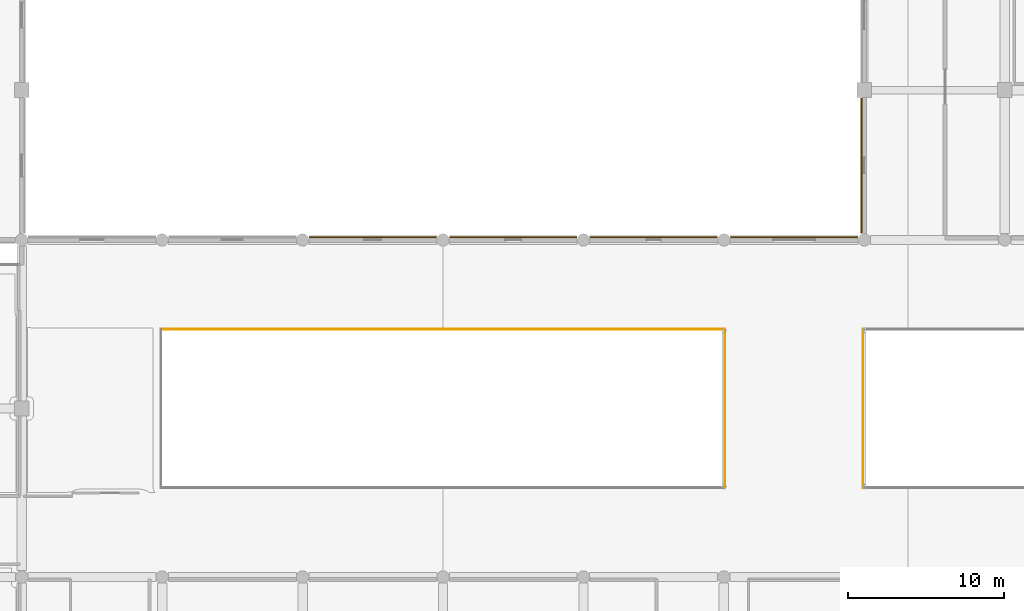
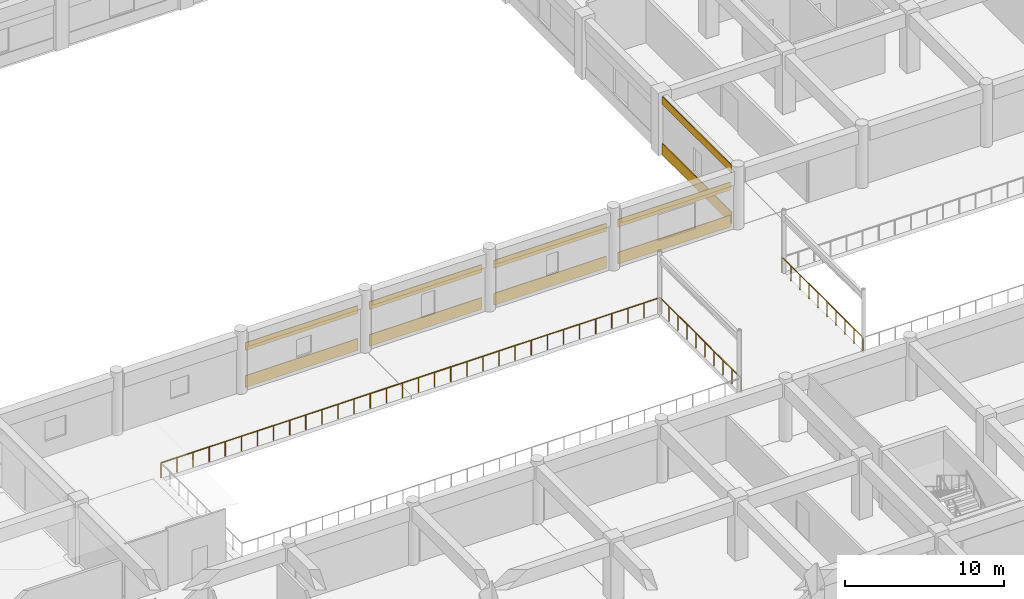
# One storey, part 77 of 86: 10 coverings, 3 railings.
"""IFC4 building model written with IfcOpenShell, lengths in metres."""

from ifc_helpers import new_model, si_unit, direction, frame, origin, origin_2d, place, context, subcontext, project, spatial, rectangle, circle, extrude, material, layer, layer_set, type_object, element, save


model = new_model("IFC4")

# Units and contexts
model_context = context("Model", 3, precision=1e-05, world=origin(), true_north=direction((0.0, 1.0)))
body_context = subcontext(model_context, "Body", "Model", "MODEL_VIEW")
ifc_project = project(units=[si_unit("LENGTHUNIT", "METRE"), si_unit("AREAUNIT", "SQUARE_METRE"), si_unit("VOLUMEUNIT", "CUBIC_METRE"), si_unit("PLANEANGLEUNIT", "RADIAN"), si_unit("MASSUNIT", "GRAM", prefix="KILO")], contexts=[model_context])

# Site, building, storey
site_placement = place(None, origin())
site = spatial("IfcSite", under=ifc_project, at=site_placement, CompositionType="ELEMENT")
building_placement = place(site_placement, origin())
building = spatial("IfcBuilding", under=site, at=building_placement, Name="Cendralis Terraced Arcade", CompositionType="ELEMENT")
storey_placement = place(building_placement, frame((0.0, 0.0, 5.39990234375)))
storey = spatial("IfcBuildingStorey", under=building, at=storey_placement, Name="L01", CompositionType="ELEMENT", Elevation=5.39990234375)

# Coverings
ifc_material_1 = material(Name="Precast concrete f'c 40 MPa", Category="concrete")
ifc_layer = layer(ifc_material_1, 0.06494140625, Name="COV-CLAD-GRC-65")
ifc_layer_set = layer_set([ifc_layer], Name="Precast concrete f'c 40 MPa")
covering_type = type_object("IfcCoveringType", Name="COV-CLAD-GRC-65", PredefinedType="CLADDING", material=ifc_layer_set)
covering_1_placement = place(storey_placement, frame((89.699951171875, 60.179931640625, 0.000244140625), z_axis=(0.0, 0.0, 1.0), x_axis=(1.0, 0.0, 0.0)))
element("IfcCovering", 1, at=covering_1_placement, inside=storey, type_object=covering_type, Name="Banded Precast Stone Spandrel Cladding L01-199", PredefinedType="CLADDING", context=body_context, shape_type="SweptSolid", body=[
    extrude(rectangle(XDim=8.14404296875, YDim=0.06494140625, at=origin_2d()), origin(), (0.0, 0.0, 1.0), 0.89990234375),
])
covering_2_placement = place(storey_placement, frame((89.699951171875, 60.179931640625, 2.824951171875), z_axis=(0.0, 0.0, 1.0), x_axis=(1.0, 0.0, 0.0)))
element("IfcCovering", 2, at=covering_2_placement, inside=storey, type_object=covering_type, Name="Banded Precast Stone Lintel Cladding L01-200", PredefinedType="CLADDING", context=body_context, shape_type="SweptSolid", body=[
    extrude(rectangle(XDim=8.14404296875, YDim=0.06494140625, at=origin_2d()), origin(), (0.0, 0.0, 1.0), 0.60009765625),
])
covering_3_placement = place(storey_placement, frame((98.699951171875, 60.179931640625, 0.000244140625), z_axis=(0.0, 0.0, 1.0), x_axis=(1.0, 0.0, 0.0)))
element("IfcCovering", 3, at=covering_3_placement, inside=storey, type_object=covering_type, Name="Banded Precast Stone Spandrel Cladding L01-201", PredefinedType="CLADDING", context=body_context, shape_type="SweptSolid", body=[
    extrude(rectangle(XDim=8.14404296875, YDim=0.06494140625, at=origin_2d()), origin(), (0.0, 0.0, 1.0), 0.89990234375),
])
covering_4_placement = place(storey_placement, frame((98.699951171875, 60.179931640625, 2.824951171875), z_axis=(0.0, 0.0, 1.0), x_axis=(1.0, 0.0, 0.0)))
element("IfcCovering", 4, at=covering_4_placement, inside=storey, type_object=covering_type, Name="Banded Precast Stone Lintel Cladding L01-202", PredefinedType="CLADDING", context=body_context, shape_type="SweptSolid", body=[
    extrude(rectangle(XDim=8.14404296875, YDim=0.06494140625, at=origin_2d()), origin(), (0.0, 0.0, 1.0), 0.60009765625),
])
covering_5_placement = place(storey_placement, frame((107.699951171875, 60.179931640625, 0.000244140625), z_axis=(0.0, 0.0, 1.0), x_axis=(1.0, 0.0, 0.0)))
element("IfcCovering", 5, at=covering_5_placement, inside=storey, type_object=covering_type, Name="Banded Precast Stone Spandrel Cladding L01-203", PredefinedType="CLADDING", context=body_context, shape_type="SweptSolid", body=[
    extrude(rectangle(XDim=8.14404296875, YDim=0.06494140625, at=origin_2d()), origin(), (0.0, 0.0, 1.0), 0.89990234375),
])
covering_6_placement = place(storey_placement, frame((107.699951171875, 60.179931640625, 2.824951171875), z_axis=(0.0, 0.0, 1.0), x_axis=(1.0, 0.0, 0.0)))
element("IfcCovering", 6, at=covering_6_placement, inside=storey, type_object=covering_type, Name="Banded Precast Stone Lintel Cladding L01-204", PredefinedType="CLADDING", context=body_context, shape_type="SweptSolid", body=[
    extrude(rectangle(XDim=8.14404296875, YDim=0.06494140625, at=origin_2d()), origin(), (0.0, 0.0, 1.0), 0.60009765625),
])
covering_7_placement = place(storey_placement, frame((116.699951171875, 60.179931640625, 0.000244140625), z_axis=(0.0, 0.0, 1.0), x_axis=(1.0, 0.0, 0.0)))
element("IfcCovering", 7, at=covering_7_placement, inside=storey, type_object=covering_type, Name="Banded Precast Stone Spandrel Cladding L01-205", PredefinedType="CLADDING", context=body_context, shape_type="SweptSolid", body=[
    extrude(rectangle(XDim=8.14404296875, YDim=0.06494140625, at=origin_2d()), origin(), (0.0, 0.0, 1.0), 0.89990234375),
])
covering_8_placement = place(storey_placement, frame((116.699951171875, 60.179931640625, 2.824951171875), z_axis=(0.0, 0.0, 1.0), x_axis=(1.0, 0.0, 0.0)))
element("IfcCovering", 8, at=covering_8_placement, inside=storey, type_object=covering_type, Name="Banded Precast Stone Lintel Cladding L01-206", PredefinedType="CLADDING", context=body_context, shape_type="SweptSolid", body=[
    extrude(rectangle(XDim=8.14404296875, YDim=0.06494140625, at=origin_2d()), origin(), (0.0, 0.0, 1.0), 0.60009765625),
])
covering_9_placement = place(storey_placement, frame((121.02001953125, 64.762451171875, 0.000244140625), z_axis=(0.0, 0.0, 1.0), x_axis=(0.0, 1.0, 0.0)))
element("IfcCovering", 9, at=covering_9_placement, inside=storey, type_object=covering_type, Name="Banded Precast Stone Spandrel Cladding L01-207", PredefinedType="CLADDING", context=body_context, shape_type="SweptSolid", body=[
    extrude(rectangle(XDim=8.6689453125, YDim=0.06494140625, at=origin_2d()), origin(), (0.0, 0.0, 1.0), 0.89990234375),
])
covering_10_placement = place(storey_placement, frame((121.02001953125, 64.762451171875, 3.885009765625), z_axis=(0.0, 0.0, 1.0), x_axis=(0.0, 1.0, 0.0)))
element("IfcCovering", 10, at=covering_10_placement, inside=storey, type_object=covering_type, Name="Banded Precast Stone Lintel Cladding L01-208", PredefinedType="CLADDING", context=body_context, shape_type="SweptSolid", body=[
    extrude(rectangle(XDim=8.6689453125, YDim=0.06494140625, at=origin_2d()), origin(), (0.0, 0.0, 1.0), 0.60009765625),
])

# Railings
ifc_material_2 = material(Name="Brushed stainless steel AISI 316", Category="steel")
railing_type = type_object("IfcRailingType", Name="RL-VOID-BAL-1150", PredefinedType="BALUSTRADE", material=ifc_material_2)
railing_1_placement = place(storey_placement, frame((112.280029296875, 44.1201171875, 0.0)))
element("IfcRailing", 11, at=railing_1_placement, inside=storey, type_object=railing_type, Name="Atrium and Arcade Gallery Balustrade L01-041", PredefinedType="BALUSTRADE", context=body_context, shape_type="SweptSolid", body=[
    extrude(circle(Radius=0.02392578125, at=origin_2d()), frame((0.0, 0.0, 1.1259765625), z_axis=(0.0, 1.0, 0.0), x_axis=(-1.0, 0.0, 0.0)), (0.0, 0.0, 1.0), 10.159912109375),
    extrude(circle(Radius=0.02099609375, at=origin_2d()), origin(), (0.0, 0.0, 1.0), 1.101806640625),
    extrude(circle(Radius=0.02099609375, at=origin_2d()), frame((0.0, 1.12890625, 0.0)), (0.0, 0.0, 1.0), 1.101806640625),
    extrude(circle(Radius=0.02099609375, at=origin_2d()), frame((0.0, 2.2578125, 0.0)), (0.0, 0.0, 1.0), 1.101806640625),
    extrude(circle(Radius=0.02099609375, at=origin_2d()), frame((0.0, 3.38671875, 0.0)), (0.0, 0.0, 1.0), 1.101806640625),
    extrude(circle(Radius=0.02099609375, at=origin_2d()), frame((0.0, 4.515625, 0.0)), (0.0, 0.0, 1.0), 1.101806640625),
    extrude(circle(Radius=0.02099609375, at=origin_2d()), frame((0.0, 5.644287109375, 0.0)), (0.0, 0.0, 1.0), 1.101806640625),
    extrude(circle(Radius=0.02099609375, at=origin_2d()), frame((0.0, 6.773193359375, 0.0)), (0.0, 0.0, 1.0), 1.101806640625),
    extrude(circle(Radius=0.02099609375, at=origin_2d()), frame((0.0, 7.902099609375, 0.0)), (0.0, 0.0, 1.0), 1.101806640625),
    extrude(circle(Radius=0.02099609375, at=origin_2d()), frame((0.0, 9.031005859375, 0.0)), (0.0, 0.0, 1.0), 1.101806640625),
    extrude(circle(Radius=0.02099609375, at=origin_2d()), frame((0.0, 10.159912109375, 0.0)), (0.0, 0.0, 1.0), 1.101806640625),
])
railing_2_placement = place(storey_placement, frame((112.280029296875, 54.280029296875, 0.0)))
element("IfcRailing", 12, at=railing_2_placement, inside=storey, type_object=railing_type, Name="Atrium and Arcade Gallery Balustrade L01-042", PredefinedType="BALUSTRADE", context=body_context, shape_type="SweptSolid", body=[
    extrude(circle(Radius=0.02392578125, at=origin_2d()), frame((0.0, 0.0, 1.1259765625), z_axis=(-1.0, 0.0, 0.0), x_axis=(0.0, -1.0, 0.0)), (0.0, 0.0, 1.0), 36.159912109375),
    extrude(circle(Radius=0.02099609375, at=origin_2d()), origin(), (0.0, 0.0, 1.0), 1.101806640625),
    extrude(circle(Radius=0.02099609375, at=origin_2d()), frame((-1.16650390625, 0.0, 0.0)), (0.0, 0.0, 1.0), 1.101806640625),
    extrude(circle(Radius=0.02099609375, at=origin_2d()), frame((-2.3330078125, 0.0, 0.0)), (0.0, 0.0, 1.0), 1.101806640625),
    extrude(circle(Radius=0.02099609375, at=origin_2d()), frame((-3.499267578125, 0.0, 0.0)), (0.0, 0.0, 1.0), 1.101806640625),
    extrude(circle(Radius=0.02099609375, at=origin_2d()), frame((-4.665771484375, 0.0, 0.0)), (0.0, 0.0, 1.0), 1.101806640625),
    extrude(circle(Radius=0.02099609375, at=origin_2d()), frame((-5.832275390625, 0.0, 0.0)), (0.0, 0.0, 1.0), 1.101806640625),
    extrude(circle(Radius=0.02099609375, at=origin_2d()), frame((-6.998779296875, 0.0, 0.0)), (0.0, 0.0, 1.0), 1.101806640625),
    extrude(circle(Radius=0.02099609375, at=origin_2d()), frame((-8.1650390625, 0.0, 0.0)), (0.0, 0.0, 1.0), 1.101806640625),
    extrude(circle(Radius=0.02099609375, at=origin_2d()), frame((-9.33154296875, 0.0, 0.0)), (0.0, 0.0, 1.0), 1.101806640625),
    extrude(circle(Radius=0.02099609375, at=origin_2d()), frame((-10.498046875, 0.0, 0.0)), (0.0, 0.0, 1.0), 1.101806640625),
    extrude(circle(Radius=0.02099609375, at=origin_2d()), frame((-11.66455078125, 0.0, 0.0)), (0.0, 0.0, 1.0), 1.101806640625),
    extrude(circle(Radius=0.02099609375, at=origin_2d()), frame((-12.8310546875, 0.0, 0.0)), (0.0, 0.0, 1.0), 1.101806640625),
    extrude(circle(Radius=0.02099609375, at=origin_2d()), frame((-13.997314453125, 0.0, 0.0)), (0.0, 0.0, 1.0), 1.101806640625),
    extrude(circle(Radius=0.02099609375, at=origin_2d()), frame((-15.163818359375, 0.0, 0.0)), (0.0, 0.0, 1.0), 1.101806640625),
    extrude(circle(Radius=0.02099609375, at=origin_2d()), frame((-16.330322265625, 0.0, 0.0)), (0.0, 0.0, 1.0), 1.101806640625),
    extrude(circle(Radius=0.02099609375, at=origin_2d()), frame((-17.496826171875, 0.0, 0.0)), (0.0, 0.0, 1.0), 1.101806640625),
    extrude(circle(Radius=0.02099609375, at=origin_2d()), frame((-18.6630859375, 0.0, 0.0)), (0.0, 0.0, 1.0), 1.101806640625),
    extrude(circle(Radius=0.02099609375, at=origin_2d()), frame((-19.82958984375, 0.0, 0.0)), (0.0, 0.0, 1.0), 1.101806640625),
    extrude(circle(Radius=0.02099609375, at=origin_2d()), frame((-20.99609375, 0.0, 0.0)), (0.0, 0.0, 1.0), 1.101806640625),
    extrude(circle(Radius=0.02099609375, at=origin_2d()), frame((-22.16259765625, 0.0, 0.0)), (0.0, 0.0, 1.0), 1.101806640625),
    extrude(circle(Radius=0.02099609375, at=origin_2d()), frame((-23.328857421875, 0.0, 0.0)), (0.0, 0.0, 1.0), 1.101806640625),
    extrude(circle(Radius=0.02099609375, at=origin_2d()), frame((-24.495361328125, 0.0, 0.0)), (0.0, 0.0, 1.0), 1.101806640625),
    extrude(circle(Radius=0.02099609375, at=origin_2d()), frame((-25.661865234375, 0.0, 0.0)), (0.0, 0.0, 1.0), 1.101806640625),
    extrude(circle(Radius=0.02099609375, at=origin_2d()), frame((-26.828369140625, 0.0, 0.0)), (0.0, 0.0, 1.0), 1.101806640625),
    extrude(circle(Radius=0.02099609375, at=origin_2d()), frame((-27.994873046875, 0.0, 0.0)), (0.0, 0.0, 1.0), 1.101806640625),
    extrude(circle(Radius=0.02099609375, at=origin_2d()), frame((-29.1611328125, 0.0, 0.0)), (0.0, 0.0, 1.0), 1.101806640625),
    extrude(circle(Radius=0.02099609375, at=origin_2d()), frame((-30.32763671875, 0.0, 0.0)), (0.0, 0.0, 1.0), 1.101806640625),
    extrude(circle(Radius=0.02099609375, at=origin_2d()), frame((-31.494140625, 0.0, 0.0)), (0.0, 0.0, 1.0), 1.101806640625),
    extrude(circle(Radius=0.02099609375, at=origin_2d()), frame((-32.66064453125, 0.0, 0.0)), (0.0, 0.0, 1.0), 1.101806640625),
    extrude(circle(Radius=0.02099609375, at=origin_2d()), frame((-33.826904296875, 0.0, 0.0)), (0.0, 0.0, 1.0), 1.101806640625),
    extrude(circle(Radius=0.02099609375, at=origin_2d()), frame((-34.993408203125, 0.0, 0.0)), (0.0, 0.0, 1.0), 1.101806640625),
    extrude(circle(Radius=0.02099609375, at=origin_2d()), frame((-36.159912109375, 0.0, 0.0)), (0.0, 0.0, 1.0), 1.101806640625),
])
railing_3_placement = place(storey_placement, frame((121.1201171875, 54.280029296875, 0.0)))
element("IfcRailing", 13, at=railing_3_placement, inside=storey, type_object=railing_type, Name="Atrium and Arcade Gallery Balustrade L01-047", PredefinedType="BALUSTRADE", context=body_context, shape_type="SweptSolid", body=[
    extrude(circle(Radius=0.02392578125, at=origin_2d()), frame((0.0, 0.0, 1.1259765625), z_axis=(0.0, -1.0, 0.0), x_axis=(1.0, 0.0, 0.0)), (0.0, 0.0, 1.0), 10.159912109375),
    extrude(circle(Radius=0.02099609375, at=origin_2d()), origin(), (0.0, 0.0, 1.0), 1.101806640625),
    extrude(circle(Radius=0.02099609375, at=origin_2d()), frame((0.0, -1.12890625, 0.0)), (0.0, 0.0, 1.0), 1.101806640625),
    extrude(circle(Radius=0.02099609375, at=origin_2d()), frame((0.0, -2.2578125, 0.0)), (0.0, 0.0, 1.0), 1.101806640625),
    extrude(circle(Radius=0.02099609375, at=origin_2d()), frame((0.0, -3.38671875, 0.0)), (0.0, 0.0, 1.0), 1.101806640625),
    extrude(circle(Radius=0.02099609375, at=origin_2d()), frame((0.0, -4.515625, 0.0)), (0.0, 0.0, 1.0), 1.101806640625),
    extrude(circle(Radius=0.02099609375, at=origin_2d()), frame((0.0, -5.644287109375, 0.0)), (0.0, 0.0, 1.0), 1.101806640625),
    extrude(circle(Radius=0.02099609375, at=origin_2d()), frame((0.0, -6.773193359375, 0.0)), (0.0, 0.0, 1.0), 1.101806640625),
    extrude(circle(Radius=0.02099609375, at=origin_2d()), frame((0.0, -7.902099609375, 0.0)), (0.0, 0.0, 1.0), 1.101806640625),
    extrude(circle(Radius=0.02099609375, at=origin_2d()), frame((0.0, -9.031005859375, 0.0)), (0.0, 0.0, 1.0), 1.101806640625),
    extrude(circle(Radius=0.02099609375, at=origin_2d()), frame((0.0, -10.159912109375, 0.0)), (0.0, 0.0, 1.0), 1.101806640625),
])

save(model, "model.ifc")
